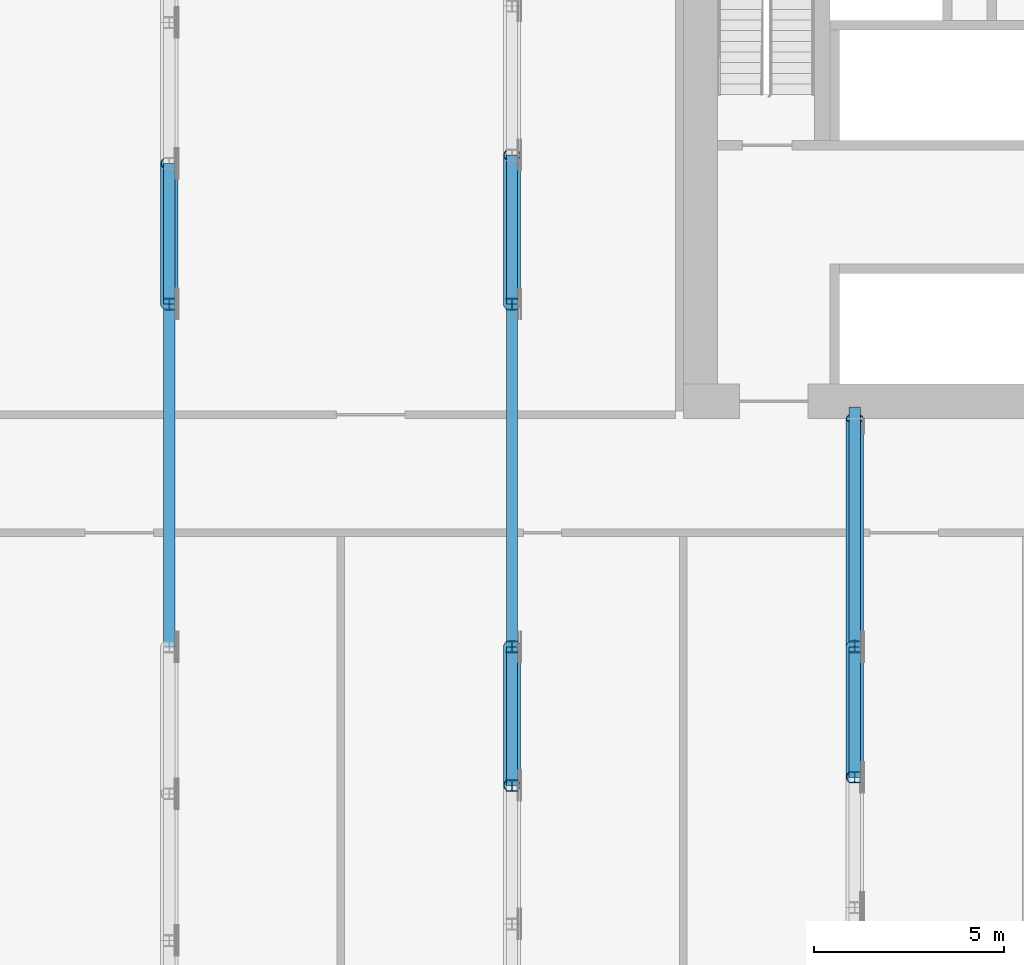
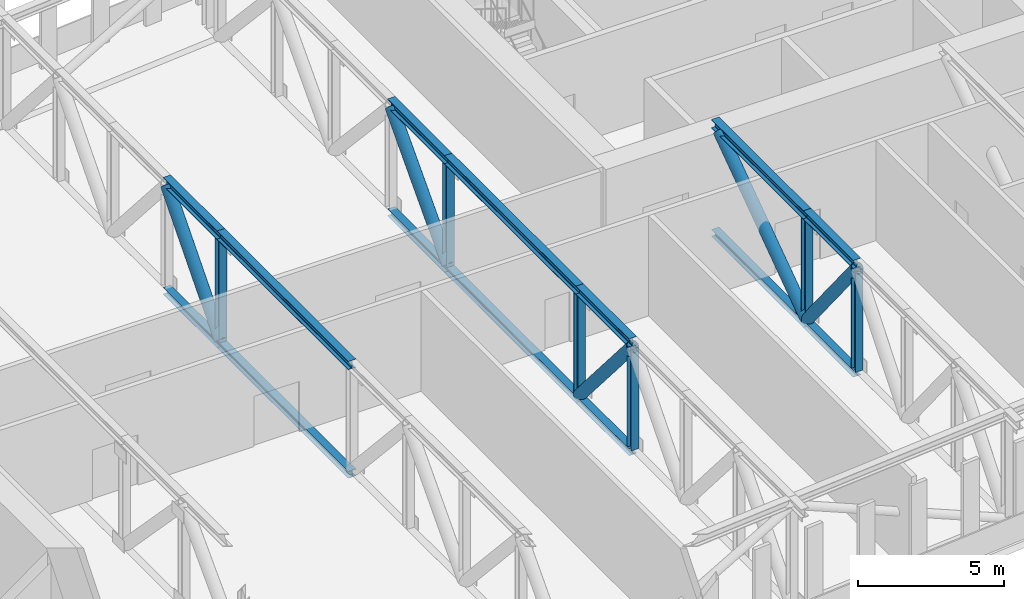
# One storey, part 3 of 22: 25 members.
"""IFC4 building model written with IfcOpenShell, lengths in metres."""

from ifc_helpers import new_model, si_unit, direction, frame, origin, origin_2d, place, context, subcontext, project, spatial, hollow_circle, i_section, extrude, material, material_profile, profile_set, type_object, element, save


model = new_model("IFC4")

# Units and contexts
model_context = context("Model", 3, precision=1e-05, world=origin(), true_north=direction((0.0, 1.0)))
body_context = subcontext(model_context, "Body", "Model", "MODEL_VIEW")
ifc_project = project(units=[si_unit("LENGTHUNIT", "METRE"), si_unit("AREAUNIT", "SQUARE_METRE"), si_unit("VOLUMEUNIT", "CUBIC_METRE"), si_unit("PLANEANGLEUNIT", "RADIAN"), si_unit("MASSUNIT", "GRAM", prefix="KILO")], contexts=[model_context])

# Site, building, storey
site_placement = place(None, origin())
site = spatial("IfcSite", under=ifc_project, at=site_placement, CompositionType="ELEMENT")
building_placement = place(site_placement, origin())
building = spatial("IfcBuilding", under=site, at=building_placement, Name="Kajstack Hotel Tower", CompositionType="ELEMENT")
storey_placement = place(building_placement, frame((0.0, 0.0, 150.39990234375)))
storey = spatial("IfcBuildingStorey", under=building, at=storey_placement, Name="L35", CompositionType="ELEMENT", Elevation=150.39990234375)

# Members
ifc_material = material(Name="Steel S355J2", Category="steel")
ifc_material_profile_1 = material_profile(ifc_material, i_section(OverallWidth=0.300048828125, OverallDepth=0.2900390625, WebThickness=0.008544921875, FlangeThickness=0.013916015625, FilletRadius=0.027099609375, at=origin_2d()), Name="HEA 300")
ifc_profile_set_1 = profile_set([ifc_material_profile_1], Name="Steel S355J2")
member_type_1 = type_object("IfcMemberType", Name="Belt truss bottom chord BC3 HEA 300", PredefinedType="CHORD", material=ifc_profile_set_1)
member_1_placement = place(storey_placement, frame((0.0, -4.5, -0.14501953125), z_axis=(0.0, 1.0, 0.0), x_axis=(-1.0, 0.0, 0.0)))
element("IfcMember", 1, at=member_1_placement, inside=storey, type_object=member_type_1, Name="S-belt-truss-L35-+0p0-1-bc16", PredefinedType="CHORD", context=body_context, shape_type="SweptSolid", body=[
    extrude(i_section(OverallWidth=0.300048828125, OverallDepth=0.2900390625, WebThickness=0.008544921875, FlangeThickness=0.013916015625, FilletRadius=0.027099609375, at=origin_2d()), origin(), (0.0, 0.0, 1.0), 9.0),
])
member_2_placement = place(storey_placement, frame((0.0, 4.5, -0.14501953125), z_axis=(0.0, 1.0, 0.0), x_axis=(-1.0, 0.0, 0.0)))
element("IfcMember", 2, at=member_2_placement, inside=storey, type_object=member_type_1, Name="S-belt-truss-L35-+0p0-1-bc17", PredefinedType="CHORD", context=body_context, shape_type="SweptSolid", body=[
    extrude(i_section(OverallWidth=0.300048828125, OverallDepth=0.2900390625, WebThickness=0.008544921875, FlangeThickness=0.013916015625, FilletRadius=0.027099609375, at=origin_2d()), origin(), (0.0, 0.0, 1.0), 3.697509765625),
])
member_3_placement = place(storey_placement, frame((9.0, -8.1416015625, -0.14501953125), z_axis=(0.0, 1.0, 0.0), x_axis=(-1.0, 0.0, 0.0)))
element("IfcMember", 3, at=member_3_placement, inside=storey, type_object=member_type_1, Name="S-belt-truss-L35-+9p0-1-bc15", PredefinedType="CHORD", context=body_context, shape_type="SweptSolid", body=[
    extrude(i_section(OverallWidth=0.300048828125, OverallDepth=0.2900390625, WebThickness=0.008544921875, FlangeThickness=0.013916015625, FilletRadius=0.027099609375, at=origin_2d()), origin(), (0.0, 0.0, 1.0), 3.6416015625),
])
member_4_placement = place(storey_placement, frame((9.0, -4.5, -0.14501953125), z_axis=(0.0, 1.0, 0.0), x_axis=(-1.0, 0.0, 0.0)))
element("IfcMember", 4, at=member_4_placement, inside=storey, type_object=member_type_1, Name="S-belt-truss-L35-+9p0-1-bc16", PredefinedType="CHORD", context=body_context, shape_type="SweptSolid", body=[
    extrude(i_section(OverallWidth=0.300048828125, OverallDepth=0.2900390625, WebThickness=0.008544921875, FlangeThickness=0.013916015625, FilletRadius=0.027099609375, at=origin_2d()), origin(), (0.0, 0.0, 1.0), 9.0),
])
member_5_placement = place(storey_placement, frame((9.0, 4.5, -0.14501953125), z_axis=(0.0, 1.0, 0.0), x_axis=(-1.0, 0.0, 0.0)))
element("IfcMember", 5, at=member_5_placement, inside=storey, type_object=member_type_1, Name="S-belt-truss-L35-+9p0-1-bc17", PredefinedType="CHORD", context=body_context, shape_type="SweptSolid", body=[
    extrude(i_section(OverallWidth=0.300048828125, OverallDepth=0.2900390625, WebThickness=0.008544921875, FlangeThickness=0.013916015625, FilletRadius=0.027099609375, at=origin_2d()), origin(), (0.0, 0.0, 1.0), 3.9140625),
])
member_6_placement = place(storey_placement, frame((18.0, -7.9248046875, -0.14501953125), z_axis=(0.0, 1.0, 0.0), x_axis=(-1.0, 0.0, 0.0)))
element("IfcMember", 6, at=member_6_placement, inside=storey, type_object=member_type_1, Name="S-outrigger-truss-L35-+18p0-1-bc10", PredefinedType="CHORD", context=body_context, shape_type="SweptSolid", body=[
    extrude(i_section(OverallWidth=0.300048828125, OverallDepth=0.2900390625, WebThickness=0.008544921875, FlangeThickness=0.013916015625, FilletRadius=0.027099609375, at=origin_2d()), origin(), (0.0, 0.0, 1.0), 3.4248046875),
])
member_7_placement = place(storey_placement, frame((18.0, -4.5, -0.14501953125), z_axis=(0.0, 1.0, 0.0), x_axis=(-1.0, 0.0, 0.0)))
element("IfcMember", 7, at=member_7_placement, inside=storey, type_object=member_type_1, Name="S-outrigger-truss-L35-+18p0-1-bc11", PredefinedType="CHORD", context=body_context, shape_type="SweptSolid", body=[
    extrude(i_section(OverallWidth=0.300048828125, OverallDepth=0.2900390625, WebThickness=0.008544921875, FlangeThickness=0.013916015625, FilletRadius=0.027099609375, at=origin_2d()), origin(), (0.0, 0.0, 1.0), 6.300048828125),
])
ifc_material_profile_2 = material_profile(ifc_material, hollow_circle(Radius=0.228515625, WallThickness=0.02001953125, at=origin_2d()), Name="CHS 457x20")
ifc_profile_set_2 = profile_set([ifc_material_profile_2], Name="Steel S355J2")
member_type_2 = type_object("IfcMemberType", Name="Belt truss diagonal DG3 CHS 457x20", PredefinedType="BRACE", material=ifc_profile_set_2)
member_8_placement = place(storey_placement, frame((0.0, 4.5, 0.0), z_axis=(0.0, 0.657247098039, 0.753675163528), x_axis=(-1.0, 0.0, 0.0)))
element("IfcMember", 8, at=member_8_placement, inside=storey, type_object=member_type_2, Name="S-belt-truss-L35-+0p0-1-dg37", PredefinedType="BRACE", context=body_context, shape_type="SweptSolid", body=[
    extrude(hollow_circle(Radius=0.228515625, WallThickness=0.02001953125, at=origin_2d()), origin(), (0.0, 0.0, 1.0), 5.625732421875),
])
member_9_placement = place(storey_placement, frame((9.0, -4.5, 0.0), z_axis=(0.0, -0.651546476478, 0.758608719294), x_axis=(1.0, 0.0, 0.0)))
element("IfcMember", 9, at=member_9_placement, inside=storey, type_object=member_type_2, Name="S-belt-truss-L35-+9p0-1-dg36", PredefinedType="BRACE", context=body_context, shape_type="SweptSolid", body=[
    extrude(hollow_circle(Radius=0.228515625, WallThickness=0.02001953125, at=origin_2d()), origin(), (0.0, 0.0, 1.0), 5.589111328125),
])
member_10_placement = place(storey_placement, frame((9.0, 4.5, 0.0), z_axis=(0.0, 0.67830118947, 0.734783979387), x_axis=(-1.0, 0.0, 0.0)))
element("IfcMember", 10, at=member_10_placement, inside=storey, type_object=member_type_2, Name="S-belt-truss-L35-+9p0-1-dg37", PredefinedType="BRACE", context=body_context, shape_type="SweptSolid", body=[
    extrude(hollow_circle(Radius=0.228515625, WallThickness=0.02001953125, at=origin_2d()), origin(), (0.0, 0.0, 1.0), 5.7705078125),
])
member_11_placement = place(storey_placement, frame((18.0, -4.5, 0.0), z_axis=(0.0, -0.628359002172, 0.777923495204), x_axis=(1.0, 0.0, 0.0)))
element("IfcMember", 11, at=member_11_placement, inside=storey, type_object=member_type_2, Name="S-outrigger-truss-L35-+18p0-1-dg20", PredefinedType="BRACE", context=body_context, shape_type="SweptSolid", body=[
    extrude(hollow_circle(Radius=0.228515625, WallThickness=0.02001953125, at=origin_2d()), origin(), (0.0, 0.0, 1.0), 5.450439453125),
])
member_12_placement = place(storey_placement, frame((18.0, -4.5, 0.0), z_axis=(0.0, 0.816666607536, 0.577109740115), x_axis=(-1.0, 0.0, 0.0)))
element("IfcMember", 12, at=member_12_placement, inside=storey, type_object=member_type_2, Name="S-outrigger-truss-L35-+18p0-1-dg21", PredefinedType="BRACE", context=body_context, shape_type="SweptSolid", body=[
    extrude(hollow_circle(Radius=0.228515625, WallThickness=0.02001953125, at=origin_2d()), origin(), (0.0, 0.0, 1.0), 7.346923828125),
])
ifc_material_profile_3 = material_profile(ifc_material, i_section(OverallWidth=0.300048828125, OverallDepth=0.300048828125, WebThickness=0.010986328125, FlangeThickness=0.01904296875, FilletRadius=0.027099609375, at=origin_2d()), Name="HEB 300")
ifc_profile_set_3 = profile_set([ifc_material_profile_3], Name="Steel S355J2")
member_type_3 = type_object("IfcMemberType", Name="Belt truss post PO3 HEB 300", PredefinedType="POST", material=ifc_profile_set_3)
for number, where, z_axis, x_axis, name in (
    (13, (0.0, 4.5, 0.0), (0.0, 0.0, 1.0), (1.0, 0.0, 0.0), "S-belt-truss-L35-+0p0-1-po27"),
    (14, (9.0, -8.1416015625, 0.0), (0.0, 0.0, 1.0), (1.0, 0.0, 0.0), "S-belt-truss-L35-+9p0-1-po25"),
    (15, (9.0, -4.5, 0.0), (0.0, 0.0, 1.0), (1.0, 0.0, 0.0), "S-belt-truss-L35-+9p0-1-po26"),
    (16, (9.0, 4.5, 0.0), (0.0, 0.0, 1.0), (1.0, 0.0, 0.0), "S-belt-truss-L35-+9p0-1-po27"),
    (17, (18.0, -7.9248046875, 0.0), (0.0, 0.0, 1.0), (1.0, 0.0, 0.0), "S-outrigger-truss-L35-+18p0-1-po15"),
    (18, (18.0, -4.5, 0.0), (0.0, 0.0, 1.0), (1.0, 0.0, 0.0), "S-outrigger-truss-L35-+18p0-1-po16"),
):
    element("IfcMember", number, at=place(storey_placement, frame(where, z_axis=z_axis, x_axis=x_axis)), inside=storey, type_object=member_type_3, Name=name, PredefinedType="POST", context=body_context, shape_type="SweptSolid", body=[
        extrude(i_section(OverallWidth=0.300048828125, OverallDepth=0.300048828125, WebThickness=0.010986328125, FlangeThickness=0.01904296875, FilletRadius=0.027099609375, at=origin_2d()), origin(), (0.0, 0.0, 1.0), 4.239990234375),
    ])
ifc_material_profile_4 = material_profile(ifc_material, i_section(OverallWidth=0.300048828125, OverallDepth=0.360107421875, WebThickness=0.012451171875, FlangeThickness=0.0224609375, FilletRadius=0.027099609375, at=origin_2d()), Name="HEB 360")
ifc_profile_set_4 = profile_set([ifc_material_profile_4], Name="Steel S355J2")
member_type_4 = type_object("IfcMemberType", Name="Belt truss top chord TC3 HEB 360", PredefinedType="CHORD", material=ifc_profile_set_4)
member_13_placement = place(storey_placement, frame((0.0, -4.5, 4.420166015625), z_axis=(0.0, 1.0, 0.0), x_axis=(-1.0, 0.0, 0.0)))
element("IfcMember", 19, at=member_13_placement, inside=storey, type_object=member_type_4, Name="S-belt-truss-L35-+0p0-1-tc6", PredefinedType="CHORD", context=body_context, shape_type="SweptSolid", body=[
    extrude(i_section(OverallWidth=0.300048828125, OverallDepth=0.360107421875, WebThickness=0.012451171875, FlangeThickness=0.0224609375, FilletRadius=0.027099609375, at=origin_2d()), origin(), (0.0, 0.0, 1.0), 9.0),
])
member_14_placement = place(storey_placement, frame((0.0, 4.5, 4.420166015625), z_axis=(0.0, 1.0, 0.0), x_axis=(-1.0, 0.0, 0.0)))
element("IfcMember", 20, at=member_14_placement, inside=storey, type_object=member_type_4, Name="S-belt-truss-L35-+0p0-1-tc7", PredefinedType="CHORD", context=body_context, shape_type="SweptSolid", body=[
    extrude(i_section(OverallWidth=0.300048828125, OverallDepth=0.360107421875, WebThickness=0.012451171875, FlangeThickness=0.0224609375, FilletRadius=0.027099609375, at=origin_2d()), origin(), (0.0, 0.0, 1.0), 3.697509765625),
])
member_15_placement = place(storey_placement, frame((9.0, -8.1416015625, 4.420166015625), z_axis=(0.0, 1.0, 0.0), x_axis=(-1.0, 0.0, 0.0)))
element("IfcMember", 21, at=member_15_placement, inside=storey, type_object=member_type_4, Name="S-belt-truss-L35-+9p0-1-tc5", PredefinedType="CHORD", context=body_context, shape_type="SweptSolid", body=[
    extrude(i_section(OverallWidth=0.300048828125, OverallDepth=0.360107421875, WebThickness=0.012451171875, FlangeThickness=0.0224609375, FilletRadius=0.027099609375, at=origin_2d()), origin(), (0.0, 0.0, 1.0), 3.6416015625),
])
member_16_placement = place(storey_placement, frame((9.0, -4.5, 4.420166015625), z_axis=(0.0, 1.0, 0.0), x_axis=(-1.0, 0.0, 0.0)))
element("IfcMember", 22, at=member_16_placement, inside=storey, type_object=member_type_4, Name="S-belt-truss-L35-+9p0-1-tc6", PredefinedType="CHORD", context=body_context, shape_type="SweptSolid", body=[
    extrude(i_section(OverallWidth=0.300048828125, OverallDepth=0.360107421875, WebThickness=0.012451171875, FlangeThickness=0.0224609375, FilletRadius=0.027099609375, at=origin_2d()), origin(), (0.0, 0.0, 1.0), 9.0),
])
member_17_placement = place(storey_placement, frame((9.0, 4.5, 4.420166015625), z_axis=(0.0, 1.0, 0.0), x_axis=(-1.0, 0.0, 0.0)))
element("IfcMember", 23, at=member_17_placement, inside=storey, type_object=member_type_4, Name="S-belt-truss-L35-+9p0-1-tc7", PredefinedType="CHORD", context=body_context, shape_type="SweptSolid", body=[
    extrude(i_section(OverallWidth=0.300048828125, OverallDepth=0.360107421875, WebThickness=0.012451171875, FlangeThickness=0.0224609375, FilletRadius=0.027099609375, at=origin_2d()), origin(), (0.0, 0.0, 1.0), 3.9140625),
])
member_18_placement = place(storey_placement, frame((18.0, -7.9248046875, 4.420166015625), z_axis=(0.0, 1.0, 0.0), x_axis=(-1.0, 0.0, 0.0)))
element("IfcMember", 24, at=member_18_placement, inside=storey, type_object=member_type_4, Name="S-outrigger-truss-L35-+18p0-1-tc5", PredefinedType="CHORD", context=body_context, shape_type="SweptSolid", body=[
    extrude(i_section(OverallWidth=0.300048828125, OverallDepth=0.360107421875, WebThickness=0.012451171875, FlangeThickness=0.0224609375, FilletRadius=0.027099609375, at=origin_2d()), origin(), (0.0, 0.0, 1.0), 3.4248046875),
])
member_19_placement = place(storey_placement, frame((18.0, -4.5, 4.420166015625), z_axis=(0.0, 1.0, 0.0), x_axis=(-1.0, 0.0, 0.0)))
element("IfcMember", 25, at=member_19_placement, inside=storey, type_object=member_type_4, Name="S-outrigger-truss-L35-+18p0-1-tc6", PredefinedType="CHORD", context=body_context, shape_type="SweptSolid", body=[
    extrude(i_section(OverallWidth=0.300048828125, OverallDepth=0.360107421875, WebThickness=0.012451171875, FlangeThickness=0.0224609375, FilletRadius=0.027099609375, at=origin_2d()), origin(), (0.0, 0.0, 1.0), 6.300048828125),
])

save(model, "model.ifc")
